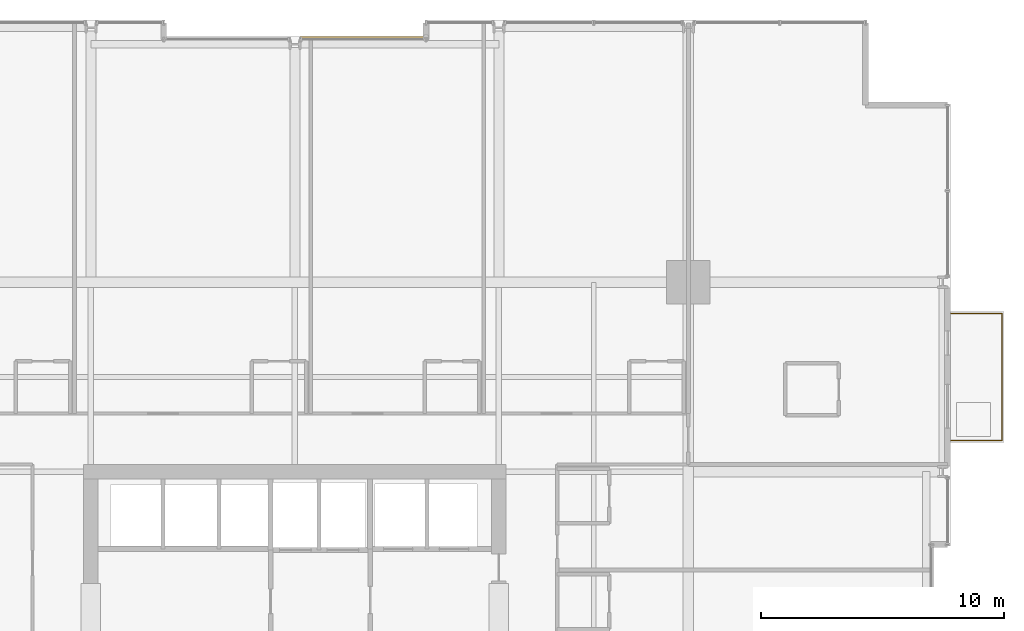
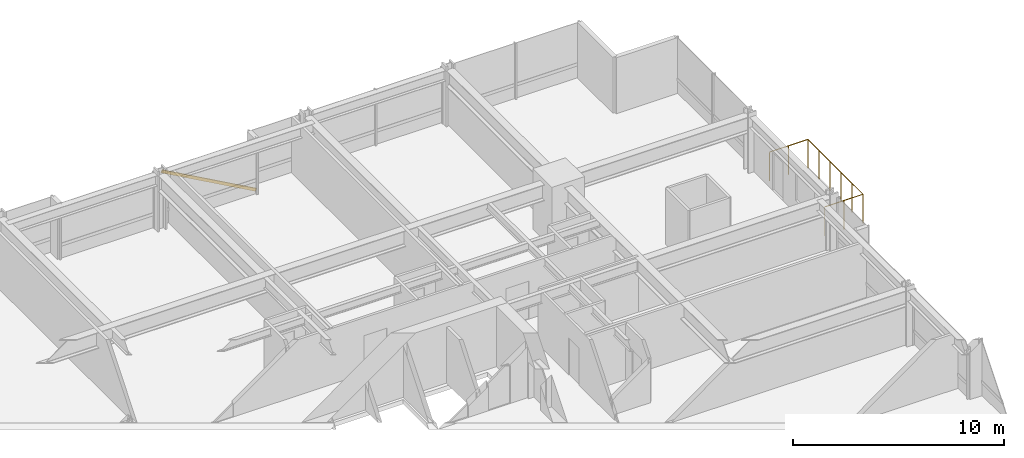
# One storey, part 38 of 38: 1 railing, 1 shading device.
"""IFC4 building model written with IfcOpenShell, lengths in metres."""

from ifc_helpers import new_model, si_unit, direction, frame, origin, origin_2d, place, context, subcontext, project, spatial, hollow_rectangle, circle, extrude, material, material_profile, profile_set, type_object, element, save


model = new_model("IFC4")

# Units and contexts
model_context = context("Model", 3, precision=1e-05, world=origin(), true_north=direction((0.0, 1.0)))
body_context = subcontext(model_context, "Body", "Model", "MODEL_VIEW")
ifc_project = project(units=[si_unit("LENGTHUNIT", "METRE"), si_unit("AREAUNIT", "SQUARE_METRE"), si_unit("VOLUMEUNIT", "CUBIC_METRE"), si_unit("PLANEANGLEUNIT", "RADIAN"), si_unit("MASSUNIT", "GRAM", prefix="KILO")], contexts=[model_context])

# Site, building, storey
site_placement = place(None, origin())
site = spatial("IfcSite", under=ifc_project, at=site_placement, CompositionType="ELEMENT")
building_placement = place(site_placement, origin())
building = spatial("IfcBuilding", under=site, at=building_placement, Name="Drelvath Grand Hotel", CompositionType="ELEMENT")
storey_placement = place(building_placement, frame((0.0, 0.0, 50.699951171875)))
storey = spatial("IfcBuildingStorey", under=building, at=storey_placement, Name="L11", CompositionType="ELEMENT", Elevation=50.699951171875)

# Shading device
ifc_material_1 = material(Name="Warm Bronze Anodised Aluminium", Category="aluminium")
ifc_material_profile = material_profile(ifc_material_1, hollow_rectangle(XDim=0.06494140625, YDim=0.159912109375, WallThickness=0.00390625, at=origin_2d()), Name="HSS160X65X4")
ifc_profile_set = profile_set([ifc_material_profile], Name="Warm Bronze Anodised Aluminium")
shading_device_type = type_object("IfcShadingDeviceType", Name="Diagonal Solar Fin Warm Bronze Anodised HSS160X65X4", PredefinedType="USERDEFINED", material=ifc_profile_set)
shading_device_placement = place(storey_placement, frame((5.39990234375, 53.280029296875, 0.179931640625), z_axis=(-0.873145760887, 0.0, 0.487459208801), x_axis=(0.0, -1.0, 0.0)))
element("IfcShadingDevice", 1, at=shading_device_placement, inside=storey, type_object=shading_device_type, Name="L11 Diagonal Anodised Fin CW02-L11-NM2", ObjectType="FIN", PredefinedType="USERDEFINED", context=body_context, shape_type="SweptSolid", body=[
    extrude(hollow_rectangle(XDim=0.06494140625, YDim=0.159912109375, WallThickness=0.00390625, at=origin_2d()), origin(), (0.0, 0.0, 1.0), 5.908447265625),
])

# Railing
ifc_material_2 = material(Name="Anodised Aluminium and Laminated Glass Balustrade", Category="aluminium")
railing_type = type_object("IfcRailingType", Name="Raised Planter Edge Balustrade 1700", PredefinedType="BALUSTRADE", material=ifc_material_2)
railing_placement = place(storey_placement, frame((27.02001953125, 36.679931640625, 0.0)))
element("IfcRailing", 2, at=railing_placement, inside=storey, type_object=railing_type, Name="L11 Tree Balcony Perimeter Balustrade 1", PredefinedType="BALUSTRADE", context=body_context, shape_type="SweptSolid", body=[
    extrude(circle(Radius=0.02392578125, at=origin_2d()), frame((0.0, 0.0, 1.67578125), z_axis=(1.0, 0.0, 0.0), x_axis=(0.0, 1.0, 0.0)), (0.0, 0.0, 1.0), 2.10009765625),
    extrude(circle(Radius=0.02392578125, at=origin_2d()), frame((2.10009765625, 0.0, 1.67578125), z_axis=(0.0, 1.0, 0.0), x_axis=(-1.0, 0.0, 0.0)), (0.0, 0.0, 1.0), 5.239990234375),
    extrude(circle(Radius=0.02392578125, at=origin_2d()), frame((2.10009765625, 5.239990234375, 1.67578125), z_axis=(-1.0, 0.0, 0.0), x_axis=(0.0, -1.0, 0.0)), (0.0, 0.0, 1.0), 2.10009765625),
    extrude(circle(Radius=0.02099609375, at=origin_2d()), origin(), (0.0, 0.0, 1.0), 1.65185546875),
    extrude(circle(Radius=0.02099609375, at=origin_2d()), frame((1.050048828125, 0.0, 0.0)), (0.0, 0.0, 1.0), 1.65185546875),
    extrude(circle(Radius=0.02099609375, at=origin_2d()), frame((2.10009765625, 0.0, 0.0)), (0.0, 0.0, 1.0), 1.65185546875),
    extrude(circle(Radius=0.02099609375, at=origin_2d()), frame((2.10009765625, 1.048095703125, 0.0)), (0.0, 0.0, 1.0), 1.65185546875),
    extrude(circle(Radius=0.02099609375, at=origin_2d()), frame((2.10009765625, 2.095947265625, 0.0)), (0.0, 0.0, 1.0), 1.65185546875),
    extrude(circle(Radius=0.02099609375, at=origin_2d()), frame((2.10009765625, 3.14404296875, 0.0)), (0.0, 0.0, 1.0), 1.65185546875),
    extrude(circle(Radius=0.02099609375, at=origin_2d()), frame((2.10009765625, 4.19189453125, 0.0)), (0.0, 0.0, 1.0), 1.65185546875),
    extrude(circle(Radius=0.02099609375, at=origin_2d()), frame((2.10009765625, 5.239990234375, 0.0)), (0.0, 0.0, 1.0), 1.65185546875),
    extrude(circle(Radius=0.02099609375, at=origin_2d()), frame((1.050048828125, 5.239990234375, 0.0)), (0.0, 0.0, 1.0), 1.65185546875),
    extrude(circle(Radius=0.02099609375, at=origin_2d()), frame((0.0, 5.239990234375, 0.0)), (0.0, 0.0, 1.0), 1.65185546875),
])

save(model, "model.ifc")
